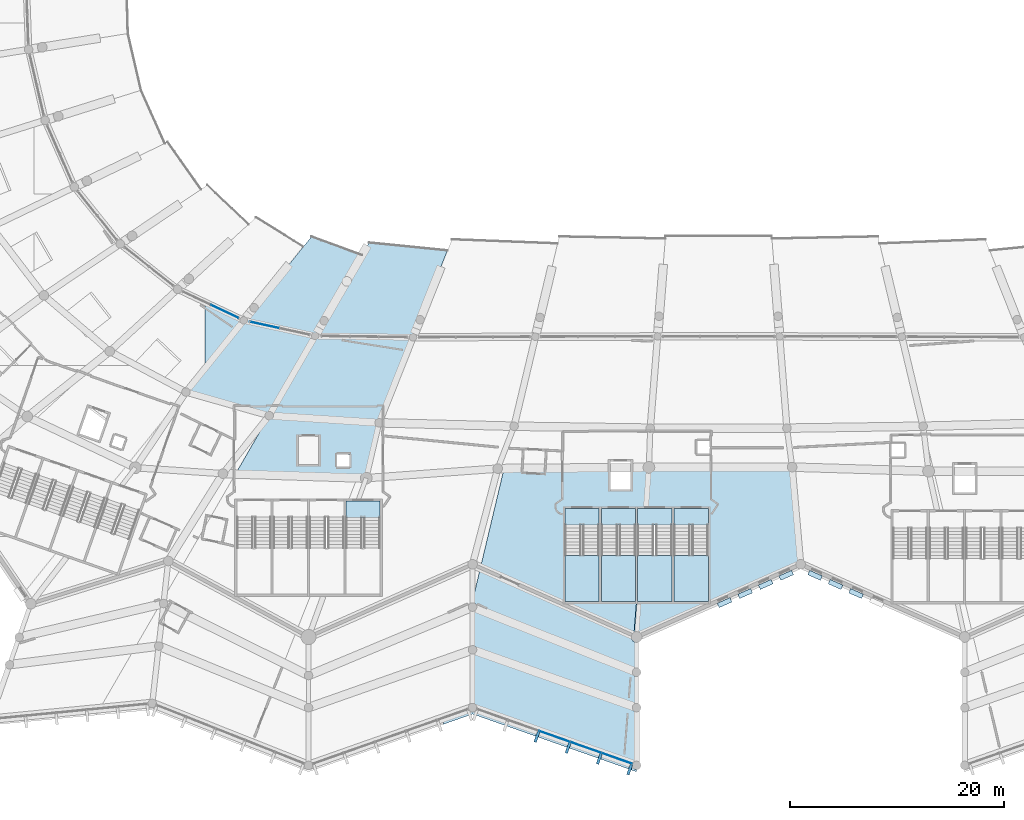
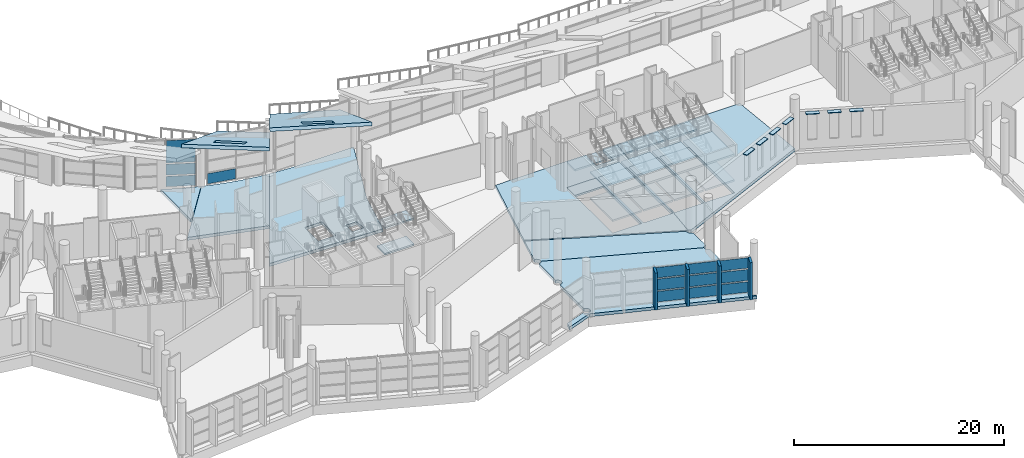
# One storey, part 101 of 249: 27 slabs, 24 plates, 8 elements without a shape of their own.
"""IFC4 building model written with IfcOpenShell, lengths in metres."""

from ifc_helpers import new_model, si_unit, direction, frame, origin, origin_2d, place, context, subcontext, project, spatial, polyline, rectangle, outline, extrude, material, layer, layer_set, type_object, element, aggregate, save


model = new_model("IFC4")

# Units and contexts
model_context = context("Model", 3, precision=1e-05, world=origin(), true_north=direction((0.0, 1.0)))
body_context = subcontext(model_context, "Body", "Model", "MODEL_VIEW")
ifc_project = project(units=[si_unit("LENGTHUNIT", "METRE"), si_unit("AREAUNIT", "SQUARE_METRE"), si_unit("VOLUMEUNIT", "CUBIC_METRE"), si_unit("PLANEANGLEUNIT", "RADIAN"), si_unit("MASSUNIT", "GRAM", prefix="KILO")], contexts=[model_context])

# Site, building, storey
site_placement = place(None, origin())
site = spatial("IfcSite", under=ifc_project, at=site_placement, CompositionType="ELEMENT")
building_placement = place(site_placement, origin())
building = spatial("IfcBuilding", under=site, at=building_placement, Name="Meseta Stadium", CompositionType="ELEMENT")
storey_placement = place(building_placement, frame((0.0, 0.0, 12.0)))
storey = spatial("IfcBuildingStorey", under=building, at=storey_placement, Name="L02", CompositionType="ELEMENT", Elevation=12.0)

# Curtain wall, plates
ifc_material_1 = material(Name="Aluminium", Category="aluminium")
ifc_layer_1 = layer(ifc_material_1, 0.199951171875)
ifc_layer_set_1 = layer_set([ifc_layer_1], Name="Suite glazing curtain wall")
curtain_wall_type_1 = type_object("IfcCurtainWallType", Name="Suite glazing curtain wall", PredefinedType="NOTDEFINED", material=ifc_layer_set_1)
curtain_wall_1_placement = place(storey_placement, origin())
curtain_wall_1 = element("IfcCurtainWall", 1, at=curtain_wall_1_placement, inside=storey, type_object=curtain_wall_type_1, Name="Suite glazing bay 41", PredefinedType="NOTDEFINED")
ifc_material_2 = material(Name="Glass", Category="glass")
ifc_layer_2 = layer(ifc_material_2, 0.035888671875)
ifc_layer_set_2 = layer_set([ifc_layer_2], Name="CW glass panel 36")
plate_type_1 = type_object("IfcPlateType", Name="CW glass panel 36", PredefinedType="CURTAIN_PANEL", material=ifc_layer_set_2)
plate_1_placement = place(storey_placement, frame((-46.166259765625, -74.968017578125, 0.14990234375), z_axis=(0.0, 0.0, 1.0), x_axis=(0.904328409074, -0.426837356076, 0.0)))
plate_1 = element("IfcPlate", 2, at=plate_1_placement, type_object=plate_type_1, Name="CWS panel 2.1", PredefinedType="CURTAIN_PANEL", context=body_context, shape_type="SweptSolid", body=[
    extrude(rectangle(XDim=2.822509765625, YDim=0.035888671875, at=origin_2d()), origin(), (0.0, 0.0, 1.0), 1.1875),
])
plate_2_placement = place(storey_placement, frame((-46.166259765625, -74.968017578125, 1.4873046875), z_axis=(0.0, 0.0, 1.0), x_axis=(0.904328409074, -0.426837356076, 0.0)))
plate_2 = element("IfcPlate", 3, at=plate_2_placement, type_object=plate_type_1, Name="CWS panel 2.2", PredefinedType="CURTAIN_PANEL", context=body_context, shape_type="SweptSolid", body=[
    extrude(rectangle(XDim=2.822509765625, YDim=0.035888671875, at=origin_2d()), origin(), (0.0, 0.0, 1.0), 1.262451171875),
])
plate_3_placement = place(storey_placement, frame((-46.166259765625, -74.968017578125, 2.89990234375), z_axis=(0.0, 0.0, 1.0), x_axis=(0.904328409074, -0.426837356076, 0.0)))
plate_3 = element("IfcPlate", 4, at=plate_3_placement, type_object=plate_type_1, Name="CWS panel 2.3", PredefinedType="CURTAIN_PANEL", context=body_context, shape_type="SweptSolid", body=[
    extrude(rectangle(XDim=2.822509765625, YDim=0.035888671875, at=origin_2d()), origin(), (0.0, 0.0, 1.0), 2.60009765625),
])
aggregate(curtain_wall_1, [plate_1, plate_2, plate_3])

# Curtain wall, plate
curtain_wall_2_placement = place(storey_placement, origin())
curtain_wall_2 = element("IfcCurtainWall", 5, at=curtain_wall_2_placement, inside=storey, type_object=curtain_wall_type_1, Name="Suite glazing bay 42", PredefinedType="NOTDEFINED")
plate_4_placement = place(storey_placement, frame((-42.43603515625, -76.232177734375, 0.14990234375), z_axis=(0.0, 0.0, 1.0), x_axis=(0.977070301273, -0.21291694712, 0.0)))
plate_4 = element("IfcPlate", 6, at=plate_4_placement, type_object=plate_type_1, Name="CWS panel 1.1", PredefinedType="CURTAIN_PANEL", context=body_context, shape_type="SweptSolid", body=[
    extrude(rectangle(XDim=2.80810546875, YDim=0.035888671875, at=origin_2d()), origin(), (0.0, 0.0, 1.0), 1.1875),
])
aggregate(curtain_wall_2, [plate_4])

# Slabs
ifc_material_3 = material(Name="Concrete C40/50", Category="concrete")
ifc_layer_3 = layer(ifc_material_3, 0.35009765625)
ifc_layer_set_3 = layer_set([ifc_layer_3], Name="Floor slab 350")
slab_type_1 = type_object("IfcSlabType", Name="Floor slab 350", PredefinedType="FLOOR", material=ifc_layer_set_3)
slab_1_placement = place(storey_placement, frame((0.0, 0.0, -0.35009765625)))
element("IfcSlab", 7, at=slab_1_placement, inside=storey, type_object=slab_type_1, Name="Floor slab L02 sector 35 panel 19", PredefinedType="FLOOR", context=body_context, shape_type="SweptSolid", body=[
    extrude(outline(polyline([(-48.0, -80.0), (-47.787353515625, -80.0), (-44.39990234375, -75.802734375), (-45.4638671875, -75.41845703125), (-46.522216796875, -74.990478515625), (-47.5634765625, -74.522705078125), (-48.0, -74.306396484375), (-48.0, -80.0)])), origin(), (0.0, 0.0, 1.0), 0.35009765625),
])
slab_2_placement = place(storey_placement, frame((0.0, 0.0, -0.35009765625)))
element("IfcSlab", 8, at=slab_2_placement, inside=storey, type_object=slab_type_1, Name="Floor slab L02 sector 42 panel 03", PredefinedType="FLOOR", context=body_context, shape_type="SweptSolid", body=[
    extrude(outline(polyline([(-43.302490234375, -76.153564453125), (-44.3798828125, -75.809814453125), (-49.78076171875, -82.501708984375), (-42.015380859375, -84.707275390625), (-37.711669921875, -77.26171875), (-38.844970703125, -77.124755859375), (-39.972412109375, -76.9453125), (-41.092041015625, -76.723388671875), (-42.20263671875, -76.459228515625), (-43.302490234375, -76.153564453125)])), origin(), (0.0, 0.0, 1.0), 0.35009765625),
])
slab_3_placement = place(storey_placement, frame((0.0, 0.0, -0.35009765625)))
element("IfcSlab", 9, at=slab_3_placement, inside=storey, type_object=slab_type_1, Name="Floor slab L02 sector 42 panel 05", PredefinedType="FLOOR", context=body_context, shape_type="SweptSolid", body=[
    extrude(outline(polyline([(-45.169189453125, -90.1630859375), (-32.944091796875, -90.551025390625), (-31.73681640625, -85.376708984375), (-28.564697265625, -77.38330078125), (-34.292724609375, -77.41455078125), (-35.43408203125, -77.40673828125), (-36.57421875, -77.355712890625), (-37.711669921875, -77.26171875), (-45.169189453125, -90.1630859375)]), holes=[polyline([(-39.283203125, -86.651123046875), (-37.38330078125, -86.651123046875), (-37.38330078125, -89.251220703125), (-39.283203125, -89.251220703125), (-39.283203125, -86.651123046875)]), polyline([(-34.4833984375, -89.501220703125), (-35.683349609375, -89.501220703125), (-35.683349609375, -88.301025390625), (-34.4833984375, -88.301025390625), (-34.4833984375, -89.501220703125)])]), origin(), (0.0, 0.0, 1.0), 0.35009765625),
])
slab_4_placement = place(storey_placement, frame((0.0, 0.0, -0.35009765625)))
element("IfcSlab", 10, at=slab_4_placement, inside=storey, type_object=slab_type_1, Name="Floor slab L02 sector 42 panel 08", PredefinedType="FLOOR", context=body_context, shape_type="SweptSolid", body=[
    extrude(outline(polyline([(-20.059814453125, -89.651611328125), (-22.267822265625, -98.9248046875), (-7.92724609375, -105.284423828125), (-7.566650390625, -100.740478515625), (-7.566650390625, -93.39990234375), (-6.984130859375, -93.39990234375), (-6.678466796875, -89.547607421875), (-8.216796875, -89.5595703125), (-8.216796875, -91.60009765625), (-10.11669921875, -91.60009765625), (-10.11669921875, -89.574462890625), (-20.059814453125, -89.651611328125)]), holes=[polyline([(-10.966796875, -93.39990234375), (-7.7666015625, -93.39990234375), (-7.7666015625, -102.10009765625), (-10.966796875, -102.10009765625), (-10.966796875, -93.39990234375)]), polyline([(-14.36669921875, -93.39990234375), (-11.166748046875, -93.39990234375), (-11.166748046875, -102.10009765625), (-14.36669921875, -102.10009765625), (-14.36669921875, -93.39990234375)])]), origin(), (0.0, 0.0, 1.0), 0.35009765625),
])
slab_5_placement = place(storey_placement, frame((0.0, 0.0, -0.35009765625)))
element("IfcSlab", 11, at=slab_5_placement, inside=storey, type_object=slab_type_1, Name="Floor slab L02 sector 42 panel 11", PredefinedType="FLOOR", context=body_context, shape_type="SweptSolid", body=[
    extrude(outline(polyline([(-7.566650390625, -102.10009765625), (-7.566650390625, -100.740478515625), (-7.92724609375, -105.284423828125), (-7.666748046875, -105.39990234375), (7.666748046875, -98.60009765625), (6.87060546875, -89.517822265625), (-6.51708984375, -89.54638671875), (-6.678466796875, -89.547607421875), (-6.984130859375, -93.39990234375), (-4.36669921875, -93.39990234375), (-4.36669921875, -102.10009765625), (-7.566650390625, -102.10009765625)]), holes=[polyline([(-0.966796875, -102.10009765625), (-4.166748046875, -102.10009765625), (-4.166748046875, -93.39990234375), (-0.966796875, -93.39990234375), (-0.966796875, -102.10009765625)])]), origin(), (0.0, 0.0, 1.0), 0.35009765625),
])
slab_6_placement = place(storey_placement, frame((0.0, 0.0, -0.35009765625)))
element("IfcSlab", 12, at=slab_6_placement, inside=storey, type_object=slab_type_1, Name="Ring floor slab L02 6 panel 05", PredefinedType="FLOOR", context=body_context, shape_type="SweptSolid", body=[
    extrude(outline(polyline([(-7.666748046875, -116.99658203125), (-7.666748046875, -113.60009765625), (-7.708251953125, -113.593994140625), (-7.708251953125, -112.39794921875), (-7.77099609375, -112.3896484375), (-7.868408203125, -112.349365234375), (-7.951904296875, -112.285400390625), (-8.01611328125, -112.20166015625), (-8.056396484375, -112.1044921875), (-8.070068359375, -112.0), (-8.056396484375, -111.8955078125), (-8.01611328125, -111.79833984375), (-7.951904296875, -111.714599609375), (-7.868408203125, -111.650634765625), (-7.77099609375, -111.6103515625), (-7.708251953125, -111.60205078125), (-7.708251953125, -109.097900390625), (-7.77099609375, -109.089599609375), (-7.868408203125, -109.04931640625), (-7.951904296875, -108.9853515625), (-8.01611328125, -108.901611328125), (-8.056396484375, -108.804443359375), (-8.070068359375, -108.699951171875), (-8.056396484375, -108.595703125), (-8.038330078125, -108.552001953125), (-22.62841796875, -102.747802734375), (-22.650634765625, -102.8017578125), (-22.714599609375, -102.88525390625), (-22.79833984375, -102.949462890625), (-22.8955078125, -102.98974609375), (-23.0, -103.00341796875), (-23.0, -106.196533203125), (-22.8955078125, -106.210205078125), (-22.79833984375, -106.25048828125), (-22.714599609375, -106.314697265625), (-22.650634765625, -106.398193359375), (-22.6103515625, -106.49560546875), (-22.596435546875, -106.60009765625), (-22.6103515625, -106.704345703125), (-22.650634765625, -106.8017578125), (-22.714599609375, -106.88525390625), (-22.79833984375, -106.949462890625), (-22.8955078125, -106.98974609375), (-23.0, -107.00341796875), (-23.0, -111.596435546875), (-22.8955078125, -111.6103515625), (-22.79833984375, -111.650634765625), (-22.714599609375, -111.714599609375), (-22.650634765625, -111.79833984375), (-22.6103515625, -111.8955078125), (-22.596435546875, -112.0), (-22.6103515625, -112.1044921875), (-22.650634765625, -112.20166015625), (-22.714599609375, -112.285400390625), (-22.79833984375, -112.349365234375), (-22.8955078125, -112.3896484375), (-23.0, -112.403564453125), (-23.1044921875, -112.3896484375), (-23.20166015625, -112.349365234375), (-23.285400390625, -112.285400390625), (-23.349365234375, -112.20166015625), (-23.377685546875, -112.133056640625), (-25.598876953125, -112.915283203125), (-25.7548828125, -113.5703125), (-23.0, -112.60009765625), (-7.666748046875, -118.0), (-7.666748046875, -117.803466796875), (-7.77099609375, -117.789794921875), (-7.868408203125, -117.74951171875), (-7.951904296875, -117.685302734375), (-8.01611328125, -117.601806640625), (-8.056396484375, -117.50439453125), (-8.070068359375, -117.39990234375), (-8.056396484375, -117.295654296875), (-8.01611328125, -117.1982421875), (-7.951904296875, -117.11474609375), (-7.868408203125, -117.050537109375), (-7.77099609375, -117.01025390625), (-7.666748046875, -116.99658203125)])), origin(), (0.0, 0.0, 1.0), 0.35009765625),
])
slab_7_placement = place(storey_placement, frame((0.0, 0.0, -0.35009765625)))
element("IfcSlab", 13, at=slab_7_placement, inside=storey, type_object=slab_type_1, Name="Ring floor slab L02 6 panel 06", PredefinedType="FLOOR", context=body_context, shape_type="SweptSolid", body=[
    extrude(outline(polyline([(-7.77099609375, -108.310302734375), (-7.708251953125, -108.302001953125), (-7.708251953125, -105.898681640625), (-7.797119140625, -105.88720703125), (-7.918701171875, -105.836669921875), (-7.96826171875, -105.798828125), (-8.023193359375, -105.756591796875), (-8.103515625, -105.652099609375), (-8.15380859375, -105.530517578125), (-8.1708984375, -105.39990234375), (-8.16357421875, -105.34375), (-22.302978515625, -99.072998046875), (-23.0, -102.0), (-23.0, -102.196533203125), (-22.8955078125, -102.210205078125), (-22.79833984375, -102.25048828125), (-22.714599609375, -102.314697265625), (-22.650634765625, -102.398193359375), (-22.6103515625, -102.49560546875), (-22.596435546875, -102.60009765625), (-22.6103515625, -102.704345703125), (-22.62841796875, -102.747802734375), (-8.038330078125, -108.552001953125), (-8.01611328125, -108.498291015625), (-7.951904296875, -108.414794921875), (-7.868408203125, -108.3505859375), (-7.77099609375, -108.310302734375)])), origin(), (0.0, 0.0, 1.0), 0.35009765625),
])

# Plates
ifc_material_4 = material(Name="White precast concrete C40/50", Category="concrete")
ifc_layer_4 = layer(ifc_material_4, 0.080078125)
ifc_layer_set_4 = layer_set([ifc_layer_4], Name="Louvre hood 1300x450")
plate_type_2 = type_object("IfcPlateType", Name="Louvre hood 1300x450", PredefinedType="USERDEFINED", material=ifc_layer_set_4)
for number, where, z_axis, x_axis, name in (
    (14, (6.320556640625, -99.634521484375, 4.25), (0.0, 0.0, 1.0), (0.914139046248, 0.40540079443, 0.0), "Louvre hood L02 F46"),
    (15, (4.40087890625, -100.48583984375, 4.25), (0.0, 0.0, 1.0), (0.914139046248, 0.40540079443, 0.0), "Louvre hood L02 F46"),
    (16, (2.481201171875, -101.337158203125, 4.25), (0.0, 0.0, 1.0), (0.914139046248, 0.40540079443, 0.0), "Louvre hood L02 F46"),
    (17, (0.5615234375, -102.1884765625, 4.25), (0.0, 0.0, 1.0), (0.914139046248, 0.40540079443, 0.0), "Louvre hood L02 F46"),
    (18, (9.012939453125, -99.634521484375, 4.25), (0.0, 0.0, 1.0), (0.914139046248, -0.40540079443, 0.0), "Louvre hood L02 F47"),
    (19, (10.9326171875, -100.48583984375, 4.25), (0.0, 0.0, 1.0), (0.914139046248, -0.40540079443, 0.0), "Louvre hood L02 F47"),
    (20, (12.852294921875, -101.337158203125, 4.25), (0.0, 0.0, 1.0), (0.914139046248, -0.40540079443, 0.0), "Louvre hood L02 F47"),
):
    element("IfcPlate", number, at=place(storey_placement, frame(where, z_axis=z_axis, x_axis=x_axis)), inside=storey, type_object=plate_type_2, Name=name, ObjectType="LOUVRE", PredefinedType="USERDEFINED", context=body_context, shape_type="SweptSolid", body=[
        extrude(rectangle(XDim=1.300048828125, YDim=0.449951171875, at=origin_2d()), origin(), (0.0, 0.0, 1.0), 0.080078125),
    ])

# Curtain wall, plates
ifc_material_5 = material(Name="Aluminium", Category="aluminium")
ifc_layer_5 = layer(ifc_material_5, 0.199951171875)
ifc_layer_set_5 = layer_set([ifc_layer_5], Name="Ring shopfront curtain wall")
curtain_wall_type_2 = type_object("IfcCurtainWallType", Name="Ring shopfront curtain wall", PredefinedType="NOTDEFINED", material=ifc_layer_set_5)
curtain_wall_3_placement = place(storey_placement, origin())
curtain_wall_3 = element("IfcCurtainWall", 21, at=curtain_wall_3_placement, inside=storey, type_object=curtain_wall_type_2, Name="Ring glazing L02 F45", PredefinedType="NOTDEFINED")
ifc_material_6 = material(Name="Glass", Category="glass")
ifc_layer_6 = layer(ifc_material_6, 0.035888671875)
ifc_layer_set_6 = layer_set([ifc_layer_6], Name="Ring CW glass panel 36")
plate_type_3 = type_object("IfcPlateType", Name="Ring CW glass panel 36", PredefinedType="CURTAIN_PANEL", material=ifc_layer_set_6)
plate_5_placement = place(storey_placement, frame((-15.333251953125, -114.699951171875, 0.14990234375), z_axis=(0.0, 0.0, 1.0), x_axis=(0.943218009999, -0.332174330154, 0.0)))
plate_5 = element("IfcPlate", 22, at=plate_5_placement, type_object=plate_type_3, Name="CWR1 panel 3.1", PredefinedType="CURTAIN_PANEL", context=body_context, shape_type="SweptSolid", body=[
    extrude(rectangle(XDim=3.03125, YDim=0.035888671875, at=origin_2d()), origin(), (0.0, 0.0, 1.0), 1.208251953125),
])
plate_6_placement = place(storey_placement, frame((-15.333251953125, -114.699951171875, 1.50830078125), z_axis=(0.0, 0.0, 1.0), x_axis=(0.943218009999, -0.332174330154, 0.0)))
plate_6 = element("IfcPlate", 23, at=plate_6_placement, type_object=plate_type_3, Name="CWR1 panel 3.2", PredefinedType="CURTAIN_PANEL", context=body_context, shape_type="SweptSolid", body=[
    extrude(rectangle(XDim=3.03125, YDim=0.035888671875, at=origin_2d()), origin(), (0.0, 0.0, 1.0), 1.283447265625),
])
plate_7_placement = place(storey_placement, frame((-15.333251953125, -114.699951171875, 2.94189453125), z_axis=(0.0, 0.0, 1.0), x_axis=(0.943218009999, -0.332174330154, 0.0)))
plate_7 = element("IfcPlate", 24, at=plate_7_placement, type_object=plate_type_3, Name="CWR1 panel 3.3", PredefinedType="CURTAIN_PANEL", context=body_context, shape_type="SweptSolid", body=[
    extrude(rectangle(XDim=3.03125, YDim=0.035888671875, at=origin_2d()), origin(), (0.0, 0.0, 1.0), 1.208251953125),
])
plate_8_placement = place(storey_placement, frame((-12.417724609375, -115.726806640625, 0.14990234375), z_axis=(0.0, 0.0, 1.0), x_axis=(0.943218009999, -0.332174330154, 0.0)))
plate_8 = element("IfcPlate", 25, at=plate_8_placement, type_object=plate_type_3, Name="CWR1 panel 4.1", PredefinedType="CURTAIN_PANEL", context=body_context, shape_type="SweptSolid", body=[
    extrude(rectangle(XDim=3.03125, YDim=0.035888671875, at=origin_2d()), origin(), (0.0, 0.0, 1.0), 1.208251953125),
])
plate_9_placement = place(storey_placement, frame((-12.417724609375, -115.726806640625, 1.50830078125), z_axis=(0.0, 0.0, 1.0), x_axis=(0.943218009999, -0.332174330154, 0.0)))
plate_9 = element("IfcPlate", 26, at=plate_9_placement, type_object=plate_type_3, Name="CWR1 panel 4.2", PredefinedType="CURTAIN_PANEL", context=body_context, shape_type="SweptSolid", body=[
    extrude(rectangle(XDim=3.03125, YDim=0.035888671875, at=origin_2d()), origin(), (0.0, 0.0, 1.0), 1.283447265625),
])
plate_10_placement = place(storey_placement, frame((-12.417724609375, -115.726806640625, 2.94189453125), z_axis=(0.0, 0.0, 1.0), x_axis=(0.943218009999, -0.332174330154, 0.0)))
plate_10 = element("IfcPlate", 27, at=plate_10_placement, type_object=plate_type_3, Name="CWR1 panel 4.3", PredefinedType="CURTAIN_PANEL", context=body_context, shape_type="SweptSolid", body=[
    extrude(rectangle(XDim=3.03125, YDim=0.035888671875, at=origin_2d()), origin(), (0.0, 0.0, 1.0), 1.208251953125),
])
plate_11_placement = place(storey_placement, frame((-9.51611328125, -116.748779296875, 0.14990234375), z_axis=(0.0, 0.0, 1.0), x_axis=(0.943218009999, -0.332174330154, 0.0)))
plate_11 = element("IfcPlate", 28, at=plate_11_placement, type_object=plate_type_3, Name="CWR1 panel 5.1", PredefinedType="CURTAIN_PANEL", context=body_context, shape_type="SweptSolid", body=[
    extrude(rectangle(XDim=3.001220703125, YDim=0.035888671875, at=origin_2d()), origin(), (0.0, 0.0, 1.0), 1.208251953125),
])
plate_12_placement = place(storey_placement, frame((-9.51611328125, -116.748779296875, 1.50830078125), z_axis=(0.0, 0.0, 1.0), x_axis=(0.943218009999, -0.332174330154, 0.0)))
plate_12 = element("IfcPlate", 29, at=plate_12_placement, type_object=plate_type_3, Name="CWR1 panel 5.2", PredefinedType="CURTAIN_PANEL", context=body_context, shape_type="SweptSolid", body=[
    extrude(rectangle(XDim=3.001220703125, YDim=0.035888671875, at=origin_2d()), origin(), (0.0, 0.0, 1.0), 1.283447265625),
])
plate_13_placement = place(storey_placement, frame((-9.51611328125, -116.748779296875, 2.94189453125), z_axis=(0.0, 0.0, 1.0), x_axis=(0.943218009999, -0.332174330154, 0.0)))
plate_13 = element("IfcPlate", 30, at=plate_13_placement, type_object=plate_type_3, Name="CWR1 panel 5.3", PredefinedType="CURTAIN_PANEL", context=body_context, shape_type="SweptSolid", body=[
    extrude(rectangle(XDim=3.001220703125, YDim=0.035888671875, at=origin_2d()), origin(), (0.0, 0.0, 1.0), 1.208251953125),
])
aggregate(curtain_wall_3, [plate_5, plate_6, plate_7, plate_8, plate_9, plate_10, plate_11, plate_12, plate_13])

# Plates
ifc_material_7 = material(Name="Precast concrete C40/50", Category="concrete")
ifc_layer_7 = layer(ifc_material_7, 0.25)
ifc_layer_set_7 = layer_set([ifc_layer_7], Name="Ring brise-soleil fin 250x1000")
plate_type_4 = type_object("IfcPlateType", Name="Ring brise-soleil fin 250x1000", PredefinedType="USERDEFINED", material=ifc_layer_set_7)
for number, where, z_axis, x_axis, name in (
    (31, (-16.990478515625, -114.75244140625, 0.0), (0.0, 0.0, 1.0), (0.943217440256, -0.33217594795, 0.0), "Brise-soleil fin L02 F45.3"),
    (32, (-14.07470703125, -115.779296875, 0.0), (0.0, 0.0, 1.0), (0.943217440256, -0.33217594795, 0.0), "Brise-soleil fin L02 F45.4"),
    (33, (-11.158935546875, -116.80615234375, 0.0), (0.0, 0.0, 1.0), (0.943217440256, -0.33217594795, 0.0), "Brise-soleil fin L02 F45.5"),
    (34, (-8.31396484375, -117.80810546875, 0.0), (0.0, 0.0, 1.0), (0.943217440256, -0.33217594795, 0.0), "Brise-soleil fin L02 F45.6"),
):
    element("IfcPlate", number, at=place(storey_placement, frame(where, z_axis=z_axis, x_axis=x_axis)), inside=storey, type_object=plate_type_4, Name=name, ObjectType="FIN", PredefinedType="USERDEFINED", context=body_context, shape_type="SweptSolid", body=[
        extrude(rectangle(XDim=0.25, YDim=1.0, at=origin_2d()), origin(), (0.0, 0.0, 1.0), 4.300048828125),
    ])

# Slabs
ifc_material_8 = material(Name="Concrete C40/50", Category="concrete")
ifc_layer_8 = layer(ifc_material_8, 0.35009765625)
ifc_layer_set_8 = layer_set([ifc_layer_8], Name="Seating tier 350")
slab_type_2 = type_object("IfcSlabType", Name="Seating tier 350", PredefinedType="USERDEFINED", material=ifc_layer_set_8)
slab_8_placement = place(storey_placement, frame((-37.991455078125, -67.893310546875, -0.611328125), z_axis=(0.300982957622, 0.436242358112, 0.847998740689), x_axis=(-0.532988148367, -0.66042678222, 0.528923528524)))
element("IfcSlab", 35, at=slab_8_placement, inside=storey, type_object=slab_type_2, Name="Stand upper tier bay 43", ObjectType="SEATING TIER", PredefinedType="USERDEFINED", context=body_context, shape_type="SweptSolid", body=[
    extrude(outline(polyline([(0.0, 0.0), (26.39531107037316, 3.3306690738754696e-15), (24.388817441773874, 8.202043292565854), (-1.7751188570696073, 4.743260982808497), (0.0, 0.0)]), holes=[polyline([(17.041748046875, 2.043212890625), (20.572265625, 2.2685546875), (20.381591796875, 5.262451171875), (16.850830078125, 5.037109375), (17.041748046875, 2.043212890625)])]), origin(), (0.0, 0.0, -1.0), 0.35009765625),
])
slab_9_placement = place(storey_placement, frame((-32.62109375, -68.45458984375, -0.202392578125), z_axis=(0.232125349309, 0.476460262997, 0.847999669807), x_axis=(-0.424664311848, -0.734693517012, 0.529042208433)))
element("IfcSlab", 36, at=slab_9_placement, inside=storey, type_object=slab_type_2, Name="Stand upper tier bay 44", ObjectType="SEATING TIER", PredefinedType="USERDEFINED", context=body_context, shape_type="SweptSolid", body=[
    extrude(outline(polyline([(0.0, 0.0), (24.510947095373222, 1.609823385706477e-15), (20.9023609237045, 9.732590246726355), (-3.417721118930432, 6.697482338328763), (0.0, 0.0)]), holes=[polyline([(16.4580078125, 2.97509765625), (19.989501953125, 3.187255859375), (19.8095703125, 6.181884765625), (16.278076171875, 5.9697265625), (16.4580078125, 2.97509765625)])]), origin(), (0.0, 0.0, -1.0), 0.35009765625),
])

# Stair, slabs
ifc_material_9 = material(Name="Concrete C40/50", Category="concrete")
stair_type = type_object("IfcStairType", Name="Exit stair 4 flights 150 mm risers", PredefinedType="HALF_TURN_STAIR", material=ifc_material_9)
stair_1_placement = place(storey_placement, origin())
stair_1 = element("IfcStair", 37, at=stair_1_placement, inside=storey, type_object=stair_type, Name="ST92 L02", PredefinedType="HALF_TURN_STAIR")
ifc_material_10 = material(Name="Concrete C40/50", Category="concrete")
ifc_layer_9 = layer(ifc_material_10, 0.199951171875)
ifc_layer_set_9 = layer_set([ifc_layer_9], Name="Stair landing 200")
slab_type_3 = type_object("IfcSlabType", Name="Stair landing 200", PredefinedType="LANDING", material=ifc_layer_set_9)
slab_10_placement = place(storey_placement, frame((0.0, 0.0, 2.800048828125)))
slab_10 = element("IfcSlab", 38, at=slab_10_placement, type_object=slab_type_3, Name="ST92 L02 landing 2", PredefinedType="LANDING", context=body_context, shape_type="SweptSolid", body=[
    extrude(outline(polyline([(-34.833251953125, -92.699951171875), (-34.833251953125, -94.2099609375), (-31.63330078125, -94.2099609375), (-31.63330078125, -92.699951171875), (-34.833251953125, -92.699951171875)])), origin(), (0.0, 0.0, 1.0), 0.199951171875),
])
slab_11_placement = place(storey_placement, frame((0.0, 0.0, -0.199951171875)))
slab_11 = element("IfcSlab", 39, at=slab_11_placement, type_object=slab_type_3, Name="ST92 L02 landing 4", PredefinedType="LANDING", context=body_context, shape_type="SweptSolid", body=[
    extrude(outline(polyline([(-34.833251953125, -92.699951171875), (-34.833251953125, -94.2099609375), (-31.63330078125, -94.2099609375), (-31.63330078125, -92.699951171875), (-34.833251953125, -92.699951171875)])), origin(), (0.0, 0.0, 1.0), 0.199951171875),
])
aggregate(stair_1, [slab_10, slab_11])

stair_2_placement = place(storey_placement, origin())
stair_2 = element("IfcStair", 40, at=stair_2_placement, inside=storey, type_object=stair_type, Name="ST93 L02", PredefinedType="HALF_TURN_STAIR")
slab_12_placement = place(storey_placement, frame((0.0, 0.0, 1.300048828125)))
slab_12 = element("IfcSlab", 41, at=slab_12_placement, type_object=slab_type_3, Name="ST93 L02 landing 1", PredefinedType="LANDING", context=body_context, shape_type="SweptSolid", body=[
    extrude(outline(polyline([(-14.36669921875, -97.77001953125), (-14.36669921875, -102.10009765625), (-11.166748046875, -102.10009765625), (-11.166748046875, -97.77001953125), (-14.36669921875, -97.77001953125)])), origin(), (0.0, 0.0, 1.0), 0.199951171875),
])
slab_13_placement = place(storey_placement, frame((0.0, 0.0, 2.800048828125)))
slab_13 = element("IfcSlab", 42, at=slab_13_placement, type_object=slab_type_3, Name="ST93 L02 landing 2", PredefinedType="LANDING", context=body_context, shape_type="SweptSolid", body=[
    extrude(outline(polyline([(-14.36669921875, -93.39990234375), (-14.36669921875, -94.909912109375), (-11.166748046875, -94.909912109375), (-11.166748046875, -93.39990234375), (-14.36669921875, -93.39990234375)])), origin(), (0.0, 0.0, 1.0), 0.199951171875),
])
slab_14_placement = place(storey_placement, frame((0.0, 0.0, 4.300048828125)))
slab_14 = element("IfcSlab", 43, at=slab_14_placement, type_object=slab_type_3, Name="ST93 L02 landing 3", PredefinedType="LANDING", context=body_context, shape_type="SweptSolid", body=[
    extrude(outline(polyline([(-14.36669921875, -97.77001953125), (-14.36669921875, -102.10009765625), (-11.166748046875, -102.10009765625), (-11.166748046875, -97.77001953125), (-14.36669921875, -97.77001953125)])), origin(), (0.0, 0.0, 1.0), 0.199951171875),
])
slab_15_placement = place(storey_placement, frame((0.0, 0.0, -0.199951171875)))
slab_15 = element("IfcSlab", 44, at=slab_15_placement, type_object=slab_type_3, Name="ST93 L02 landing 4", PredefinedType="LANDING", context=body_context, shape_type="SweptSolid", body=[
    extrude(outline(polyline([(-14.36669921875, -93.39990234375), (-14.36669921875, -94.909912109375), (-11.166748046875, -94.909912109375), (-11.166748046875, -93.39990234375), (-14.36669921875, -93.39990234375)])), origin(), (0.0, 0.0, 1.0), 0.199951171875),
])
aggregate(stair_2, [slab_12, slab_13, slab_14, slab_15])

stair_3_placement = place(storey_placement, origin())
stair_3 = element("IfcStair", 45, at=stair_3_placement, inside=storey, type_object=stair_type, Name="ST94 L02", PredefinedType="HALF_TURN_STAIR")
slab_16_placement = place(storey_placement, frame((0.0, 0.0, 1.300048828125)))
slab_16 = element("IfcSlab", 46, at=slab_16_placement, type_object=slab_type_3, Name="ST94 L02 landing 1", PredefinedType="LANDING", context=body_context, shape_type="SweptSolid", body=[
    extrude(outline(polyline([(-10.966552734375, -97.77001953125), (-10.966552734375, -102.10009765625), (-7.7666015625, -102.10009765625), (-7.7666015625, -97.77001953125), (-10.966552734375, -97.77001953125)])), origin(), (0.0, 0.0, 1.0), 0.199951171875),
])
slab_17_placement = place(storey_placement, frame((0.0, 0.0, 2.800048828125)))
slab_17 = element("IfcSlab", 47, at=slab_17_placement, type_object=slab_type_3, Name="ST94 L02 landing 2", PredefinedType="LANDING", context=body_context, shape_type="SweptSolid", body=[
    extrude(outline(polyline([(-10.966552734375, -93.39990234375), (-10.966552734375, -94.909912109375), (-7.7666015625, -94.909912109375), (-7.7666015625, -93.39990234375), (-10.966552734375, -93.39990234375)])), origin(), (0.0, 0.0, 1.0), 0.199951171875),
])
slab_18_placement = place(storey_placement, frame((0.0, 0.0, 4.300048828125)))
slab_18 = element("IfcSlab", 48, at=slab_18_placement, type_object=slab_type_3, Name="ST94 L02 landing 3", PredefinedType="LANDING", context=body_context, shape_type="SweptSolid", body=[
    extrude(outline(polyline([(-10.966552734375, -97.77001953125), (-10.966552734375, -102.10009765625), (-7.7666015625, -102.10009765625), (-7.7666015625, -97.77001953125), (-10.966552734375, -97.77001953125)])), origin(), (0.0, 0.0, 1.0), 0.199951171875),
])
slab_19_placement = place(storey_placement, frame((0.0, 0.0, -0.199951171875)))
slab_19 = element("IfcSlab", 49, at=slab_19_placement, type_object=slab_type_3, Name="ST94 L02 landing 4", PredefinedType="LANDING", context=body_context, shape_type="SweptSolid", body=[
    extrude(outline(polyline([(-10.966552734375, -93.39990234375), (-10.966552734375, -94.909912109375), (-7.7666015625, -94.909912109375), (-7.7666015625, -93.39990234375), (-10.966552734375, -93.39990234375)])), origin(), (0.0, 0.0, 1.0), 0.199951171875),
])
aggregate(stair_3, [slab_16, slab_17, slab_18, slab_19])

stair_4_placement = place(storey_placement, origin())
stair_4 = element("IfcStair", 50, at=stair_4_placement, inside=storey, type_object=stair_type, Name="ST95 L02", PredefinedType="HALF_TURN_STAIR")
slab_20_placement = place(storey_placement, frame((0.0, 0.0, 1.300048828125)))
slab_20 = element("IfcSlab", 51, at=slab_20_placement, type_object=slab_type_3, Name="ST95 L02 landing 1", PredefinedType="LANDING", context=body_context, shape_type="SweptSolid", body=[
    extrude(outline(polyline([(-7.566650390625, -97.77001953125), (-7.566650390625, -102.10009765625), (-4.36669921875, -102.10009765625), (-4.36669921875, -97.77001953125), (-7.566650390625, -97.77001953125)])), origin(), (0.0, 0.0, 1.0), 0.199951171875),
])
slab_21_placement = place(storey_placement, frame((0.0, 0.0, 2.800048828125)))
slab_21 = element("IfcSlab", 52, at=slab_21_placement, type_object=slab_type_3, Name="ST95 L02 landing 2", PredefinedType="LANDING", context=body_context, shape_type="SweptSolid", body=[
    extrude(outline(polyline([(-7.566650390625, -93.39990234375), (-7.566650390625, -94.909912109375), (-4.36669921875, -94.909912109375), (-4.36669921875, -93.39990234375), (-7.566650390625, -93.39990234375)])), origin(), (0.0, 0.0, 1.0), 0.199951171875),
])
slab_22_placement = place(storey_placement, frame((0.0, 0.0, 4.300048828125)))
slab_22 = element("IfcSlab", 53, at=slab_22_placement, type_object=slab_type_3, Name="ST95 L02 landing 3", PredefinedType="LANDING", context=body_context, shape_type="SweptSolid", body=[
    extrude(outline(polyline([(-7.566650390625, -97.77001953125), (-7.566650390625, -102.10009765625), (-4.36669921875, -102.10009765625), (-4.36669921875, -97.77001953125), (-7.566650390625, -97.77001953125)])), origin(), (0.0, 0.0, 1.0), 0.199951171875),
])
slab_23_placement = place(storey_placement, frame((0.0, 0.0, -0.199951171875)))
slab_23 = element("IfcSlab", 54, at=slab_23_placement, type_object=slab_type_3, Name="ST95 L02 landing 4", PredefinedType="LANDING", context=body_context, shape_type="SweptSolid", body=[
    extrude(outline(polyline([(-7.566650390625, -93.39990234375), (-7.566650390625, -94.909912109375), (-4.36669921875, -94.909912109375), (-4.36669921875, -93.39990234375), (-7.566650390625, -93.39990234375)])), origin(), (0.0, 0.0, 1.0), 0.199951171875),
])
aggregate(stair_4, [slab_20, slab_21, slab_22, slab_23])

stair_5_placement = place(storey_placement, origin())
stair_5 = element("IfcStair", 55, at=stair_5_placement, inside=storey, type_object=stair_type, Name="ST96 L02", PredefinedType="HALF_TURN_STAIR")
slab_24_placement = place(storey_placement, frame((0.0, 0.0, 1.300048828125)))
slab_24 = element("IfcSlab", 56, at=slab_24_placement, type_object=slab_type_3, Name="ST96 L02 landing 1", PredefinedType="LANDING", context=body_context, shape_type="SweptSolid", body=[
    extrude(outline(polyline([(-4.166748046875, -97.77001953125), (-4.166748046875, -102.10009765625), (-0.966552734375, -102.10009765625), (-0.966552734375, -97.77001953125), (-4.166748046875, -97.77001953125)])), origin(), (0.0, 0.0, 1.0), 0.199951171875),
])
slab_25_placement = place(storey_placement, frame((0.0, 0.0, 2.800048828125)))
slab_25 = element("IfcSlab", 57, at=slab_25_placement, type_object=slab_type_3, Name="ST96 L02 landing 2", PredefinedType="LANDING", context=body_context, shape_type="SweptSolid", body=[
    extrude(outline(polyline([(-4.166748046875, -93.39990234375), (-4.166748046875, -94.909912109375), (-0.966552734375, -94.909912109375), (-0.966552734375, -93.39990234375), (-4.166748046875, -93.39990234375)])), origin(), (0.0, 0.0, 1.0), 0.199951171875),
])
slab_26_placement = place(storey_placement, frame((0.0, 0.0, 4.300048828125)))
slab_26 = element("IfcSlab", 58, at=slab_26_placement, type_object=slab_type_3, Name="ST96 L02 landing 3", PredefinedType="LANDING", context=body_context, shape_type="SweptSolid", body=[
    extrude(outline(polyline([(-4.166748046875, -97.77001953125), (-4.166748046875, -102.10009765625), (-0.966552734375, -102.10009765625), (-0.966552734375, -97.77001953125), (-4.166748046875, -97.77001953125)])), origin(), (0.0, 0.0, 1.0), 0.199951171875),
])
slab_27_placement = place(storey_placement, frame((0.0, 0.0, -0.199951171875)))
slab_27 = element("IfcSlab", 59, at=slab_27_placement, type_object=slab_type_3, Name="ST96 L02 landing 4", PredefinedType="LANDING", context=body_context, shape_type="SweptSolid", body=[
    extrude(outline(polyline([(-4.166748046875, -93.39990234375), (-4.166748046875, -94.909912109375), (-0.966552734375, -94.909912109375), (-0.966552734375, -93.39990234375), (-4.166748046875, -93.39990234375)])), origin(), (0.0, 0.0, 1.0), 0.199951171875),
])
aggregate(stair_5, [slab_24, slab_25, slab_26, slab_27])

save(model, "model.ifc")
